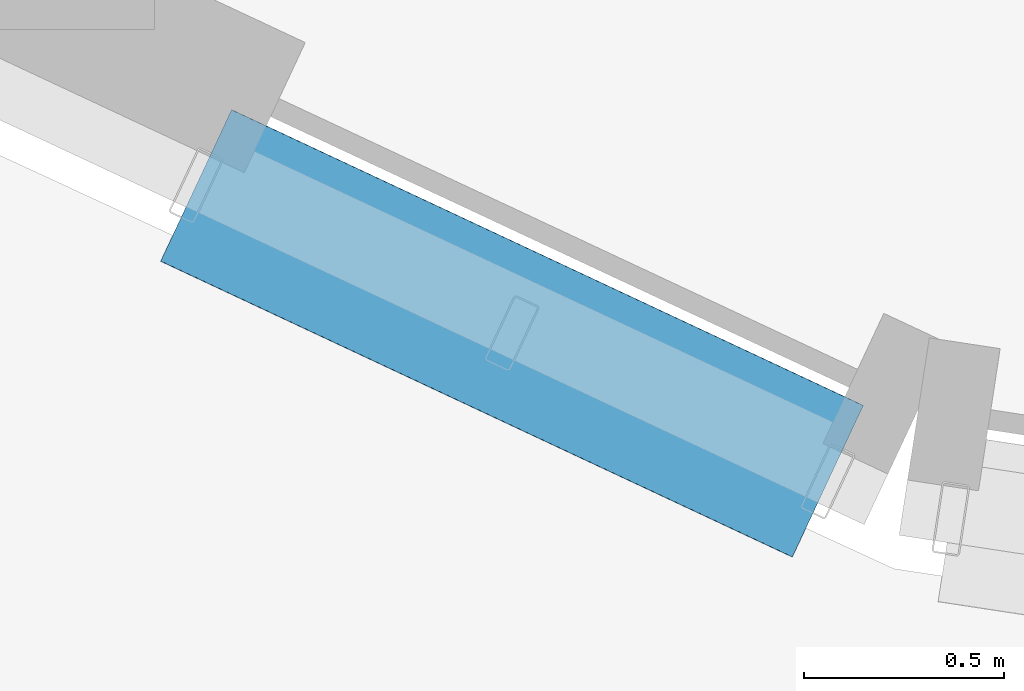
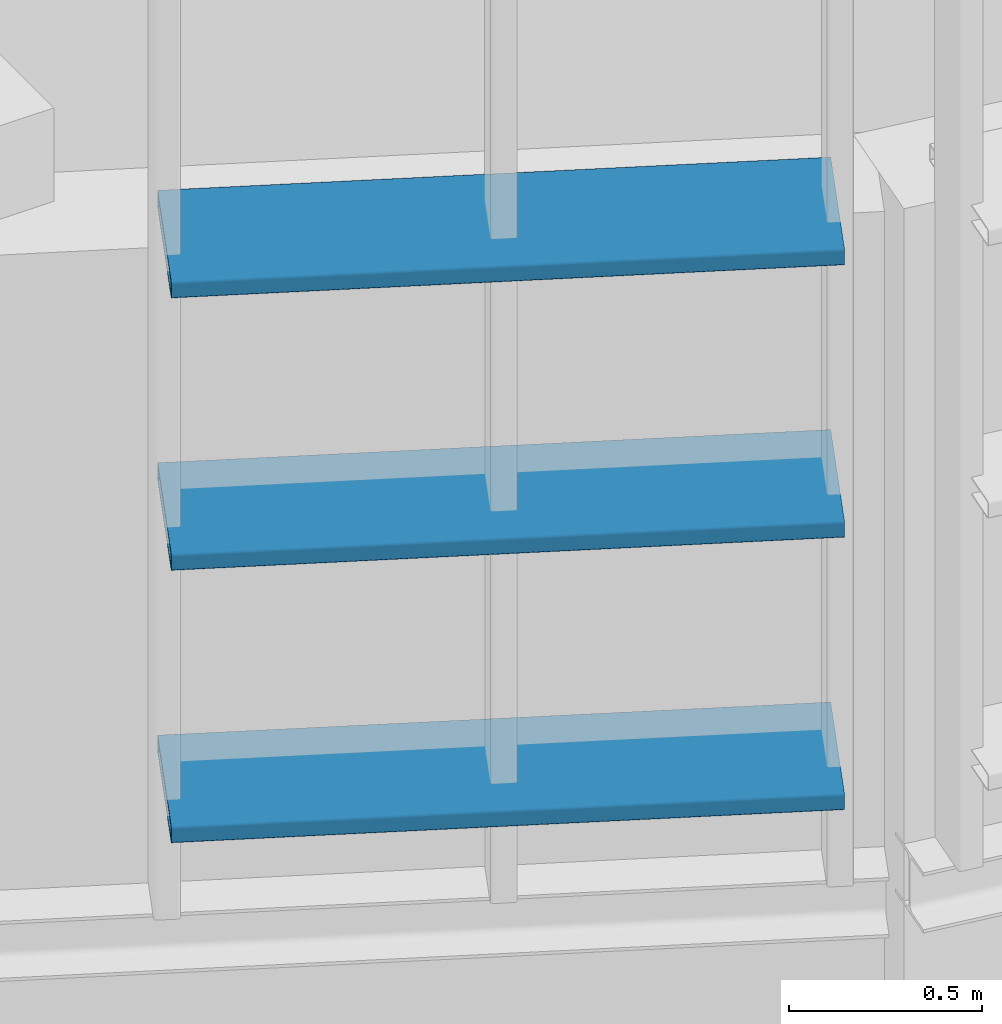
# One storey, part 141 of 372: 3 members.
"""IFC4 building model written with IfcOpenShell, lengths in metres."""

from ifc_helpers import new_model, si_unit, direction, frame, origin, origin_2d, place, context, subcontext, project, spatial, hollow_rectangle, extrude, material, material_profile, profile_set, type_object, element, save


model = new_model("IFC4")

# Units and contexts
model_context = context("Model", 3, precision=1e-05, world=origin(), true_north=direction((0.0, 1.0)))
body_context = subcontext(model_context, "Body", "Model", "MODEL_VIEW")
ifc_project = project(units=[si_unit("LENGTHUNIT", "METRE"), si_unit("AREAUNIT", "SQUARE_METRE"), si_unit("VOLUMEUNIT", "CUBIC_METRE"), si_unit("PLANEANGLEUNIT", "RADIAN"), si_unit("MASSUNIT", "GRAM", prefix="KILO")], contexts=[model_context])

# Site, building, storey
site_placement = place(None, origin())
site = spatial("IfcSite", under=ifc_project, at=site_placement, CompositionType="ELEMENT")
building_placement = place(site_placement, origin())
building = spatial("IfcBuilding", under=site, at=building_placement, Name="Kaelora Sail Theatre", CompositionType="ELEMENT")
storey_placement = place(building_placement, origin())
storey = spatial("IfcBuildingStorey", under=building, at=storey_placement, Name="L00", CompositionType="ELEMENT", Elevation=0.0)

# Members
ifc_material = material(Name="Anodised aluminium 6063-T6", Category="aluminium")
ifc_material_profile = material_profile(ifc_material, hollow_rectangle(XDim=0.419921875, YDim=0.054931640625, WallThickness=0.00390625, InnerFilletRadius=0.00390625, OuterFilletRadius=0.008056640625, at=origin_2d()), Name="LOUVRE 420x55x4")
ifc_profile_set = profile_set([ifc_material_profile], Name="Anodised aluminium 6063-T6")
member_type = type_object("IfcMemberType", Name="ARC-MEM-LVR-420", PredefinedType="USERDEFINED", material=ifc_profile_set)
for number, where, z_axis, x_axis, name in (
    (1, (87.96728515625, 31.4453125, 3.449951171875), (-0.905643423999, 0.424040078963, 0.0), (-0.424040078963, -0.905643423999, 0.0), "Studio Theatre Sail Drum horizontal solar louvre C12-01"),
    (2, (87.96728515625, 31.4453125, 4.31005859375), (-0.905643423999, 0.424040078963, 0.0), (-0.424040078963, -0.905643423999, 0.0), "Studio Theatre Sail Drum horizontal solar louvre C12-02"),
    (3, (87.96728515625, 31.4453125, 5.169921875), (-0.905643423999, 0.424040078963, 0.0), (-0.424040078963, -0.905643423999, 0.0), "Studio Theatre Sail Drum horizontal solar louvre C12-03"),
):
    element("IfcMember", number, at=place(storey_placement, frame(where, z_axis=z_axis, x_axis=x_axis)), inside=storey, type_object=member_type, Name=name, ObjectType="LOUVRE", PredefinedType="USERDEFINED", context=body_context, shape_type="SweptSolid", body=[
        extrude(hollow_rectangle(XDim=0.419921875, YDim=0.054931640625, WallThickness=0.00390625, InnerFilletRadius=0.00390625, OuterFilletRadius=0.008056640625, at=origin_2d()), origin(), (0.0, 0.0, 1.0), 1.747314453125),
    ])

save(model, "model.ifc")
